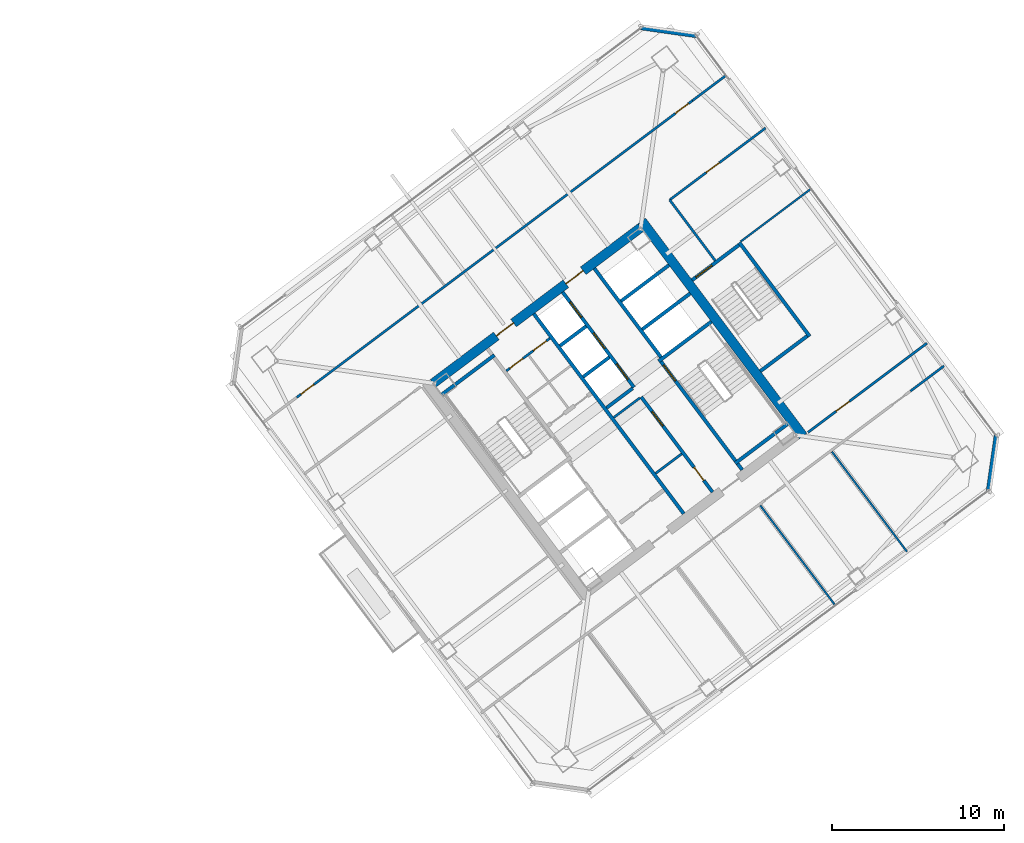
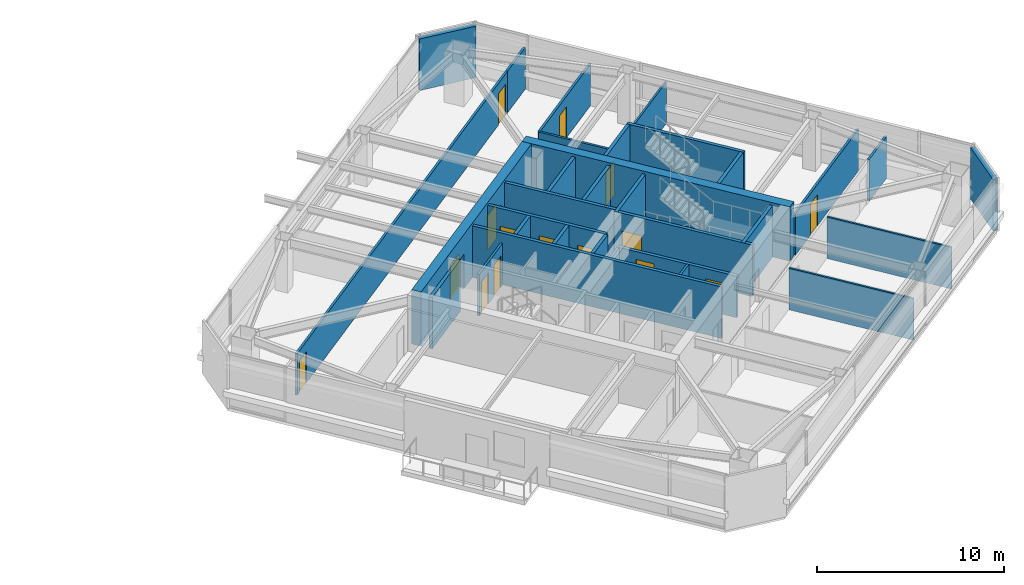
# One storey, part 34 of 41: 32 walls, 15 doors, 15 openings.
"""IFC4 building model written with IfcOpenShell, lengths in metres."""

from ifc_helpers import new_model, si_unit, direction, frame, frame_2d, origin, place, context, subcontext, project, spatial, rectangle, extrude, material, layer, layer_set, type_object, element, fill, save


model = new_model("IFC4")

# Units and contexts
model_context = context("Model", 3, precision=1e-05, world=origin(), true_north=direction((0.0, 1.0)))
body_context = subcontext(model_context, "Body", "Model", "MODEL_VIEW")
ifc_project = project(units=[si_unit("LENGTHUNIT", "METRE"), si_unit("AREAUNIT", "SQUARE_METRE"), si_unit("VOLUMEUNIT", "CUBIC_METRE"), si_unit("PLANEANGLEUNIT", "RADIAN"), si_unit("MASSUNIT", "GRAM", prefix="KILO")], contexts=[model_context])

# Site, building, storey
site_placement = place(None, origin())
site = spatial("IfcSite", under=ifc_project, at=site_placement, CompositionType="ELEMENT")
building_placement = place(site_placement, origin())
building = spatial("IfcBuilding", under=site, at=building_placement, Name="Tashvorn Skyway Center", CompositionType="ELEMENT")
storey_placement = place(building_placement, frame((0.0, 0.0, 174.75)))
storey = spatial("IfcBuildingStorey", under=building, at=storey_placement, Name="L47", CompositionType="ELEMENT", Elevation=174.75)

# Wall
ifc_material_1 = material(Name="Concrete C60/75", Category="concrete")
ifc_layer_1 = layer(ifc_material_1, 0.550048828125)
ifc_layer_set_1 = layer_set([ifc_layer_1], Name="Concrete C60/75")
wall_type_1 = type_object("IfcWallType", Name="WALL-CORE-550", PredefinedType="SHEAR", material=ifc_layer_set_1)
wall_1_placement = place(storey_placement, frame((115.56396484375, 42.923095703125, 0.0), z_axis=(0.0, 0.0, 1.0), x_axis=(0.600005007985, -0.799996243986, 0.0)))
element("IfcWall", 1, at=wall_1_placement, inside=storey, type_object=wall_type_1, Name="Tower 2 L47 East Core Shear Wall", PredefinedType="SHEAR", context=body_context, shape_type="SweptSolid", body=[
    extrude(rectangle(XDim=15.60009765625, YDim=0.550048828125, at=frame_2d((7.800048828125, 0.0))), origin(), (0.0, 0.0, 1.0), 3.550048828125),
])

# Wall, openings, doors
wall_2_placement = place(storey_placement, frame((103.4609375, 33.501953125, 0.0), z_axis=(0.0, 0.0, 1.0), x_axis=(0.799998054672, 0.600002593761, 0.0)))
wall_2 = element("IfcWall", 2, at=wall_2_placement, inside=storey, type_object=wall_type_1, Name="Tower 2 L47 North Core Shear Wall", PredefinedType="SHEAR", context=body_context, shape_type="SweptSolid", body=[
    extrude(rectangle(XDim=15.06005859375, YDim=0.550048828125, at=frame_2d((7.530029296875, 0.0))), origin(), (0.0, 0.0, 1.0), 3.550048828125),
])
opening_1_placement = place(wall_2_placement, frame((4.580078125, 0.0, 0.0)))
opening_1 = element("IfcOpeningElement", 3, at=opening_1_placement, cuts=wall_2, Name="Opening D-FFL-1250", PredefinedType="OPENING", context=body_context, shape_type="SweptSolid", body=[
    extrude(rectangle(XDim=1.25, YDim=2.25, at=frame_2d((0.625, 1.125))), frame((0.0, 0.284912109375, 0.0), z_axis=(0.0, -1.0, 0.0), x_axis=(1.0, 0.0, 0.0)), (0.0, 0.0, 1.0), 0.570068359375),
])
opening_2_placement = place(wall_2_placement, frame((9.6298828125, 0.0, 0.0)))
opening_2 = element("IfcOpeningElement", 4, at=opening_2_placement, cuts=wall_2, Name="Opening D-FFL-1250", PredefinedType="OPENING", context=body_context, shape_type="SweptSolid", body=[
    extrude(rectangle(XDim=1.25, YDim=2.25, at=frame_2d((0.625, 1.125))), frame((0.0, 0.284912109375, 0.0), z_axis=(0.0, -1.0, 0.0), x_axis=(1.0, 0.0, 0.0)), (0.0, 0.0, 1.0), 0.570068359375),
])
ifc_material_2 = material(Name="Hollow galvanized steel fire door assembly", Category="steel")
door_type_1 = type_object("IfcDoorType", Name="DOOR-FFL-1250", OperationType="NOTDEFINED", PredefinedType="DOOR", material=ifc_material_2)
door_1_placement = place(opening_1_placement, origin())
door_1 = element("IfcDoor", 5, at=door_1_placement, inside=storey, type_object=door_type_1, Name="Tower 2 L47 Core North Service Lobby Door", OperationType="SINGLE_SWING_LEFT", OverallHeight=2.25, OverallWidth=1.25, PredefinedType="DOOR", context=body_context, shape_type="SweptSolid", body=[
    extrude(rectangle(XDim=1.25, YDim=2.25, at=frame_2d((0.625, 1.125))), frame((0.0, 0.02490234375, 0.0), z_axis=(0.0, -1.0, 0.0), x_axis=(1.0, 0.0, 0.0)), (0.0, 0.0, 1.0), 0.050048828125),
])
fill(opening_1, door_1)
door_2_placement = place(opening_2_placement, origin())
door_2 = element("IfcDoor", 6, at=door_2_placement, inside=storey, type_object=door_type_1, Name="Tower 2 L47 Core North Lift Lobby Door", OperationType="SINGLE_SWING_RIGHT", OverallHeight=2.25, OverallWidth=1.25, PredefinedType="DOOR", context=body_context, shape_type="SweptSolid", body=[
    extrude(rectangle(XDim=1.25, YDim=2.25, at=frame_2d((0.625, 1.125))), frame((0.0, 0.02490234375, 0.0), z_axis=(0.0, -1.0, 0.0), x_axis=(1.0, 0.0, 0.0)), (0.0, 0.0, 1.0), 0.050048828125),
])
fill(opening_2, door_2)

# Walls
ifc_material_3 = material(Name="Precast concrete C40/50", Category="concrete")
ifc_layer_2 = layer(ifc_material_3, 0.280029296875)
ifc_layer_set_2 = layer_set([ifc_layer_2], Name="Precast concrete C40/50")
wall_type_2 = type_object("IfcWallType", Name="WALL-EXT-280", PredefinedType="SOLIDWALL", material=ifc_layer_set_2)
for number, where, z_axis, x_axis, name in (
    (7, (115.52001953125, 54.139892578125, 0.0), (0.0, 0.0, 1.0), (0.989950994782, -0.141410847992, 0.0), "Tower 2 L47 NE Precast Chamfer Wall"),
    (8, (136.139892578125, 30.47998046875, 0.0), (0.0, 0.0, 1.0), (-0.141410847992, -0.989950994782, 0.0), "Tower 2 L47 SE Precast Chamfer Wall"),
):
    element("IfcWall", number, at=place(storey_placement, frame(where, z_axis=z_axis, x_axis=x_axis)), inside=storey, type_object=wall_type_2, Name=name, PredefinedType="SOLIDWALL", context=body_context, shape_type="SweptSolid", body=[
        extrude(rectangle(XDim=3.252685546875, YDim=0.280029296875, at=frame_2d((1.62646484375, 0.0))), origin(), (0.0, 0.0, 1.0), 3.3701171875),
    ])
ifc_material_4 = material(Name="Gypsum board on cold-formed steel stud framing", Category="steel")
ifc_layer_3 = layer(ifc_material_4, 0.110107421875)
ifc_layer_set_3 = layer_set([ifc_layer_3], Name="Gypsum board on cold-formed steel stud framing")
wall_type_3 = type_object("IfcWallType", Name="WALL-PART-110", PredefinedType="PARTITIONING", material=ifc_layer_set_3)
for number, where, z_axis, x_axis, name in (
    (9, (126.7880859375, 20.615966796875, 0.0), (0.0, 0.0, 1.0), (-0.600005387845, 0.799995959088, 0.0), "Tower 2 L47 South Suite Partition 3"),
    (10, (130.947998046875, 23.736083984375, 0.0), (0.0, 0.0, 1.0), (-0.600021551797, 0.799983835699, 0.0), "Tower 2 L47 South Suite Partition 4"),
):
    element("IfcWall", number, at=place(storey_placement, frame(where, z_axis=z_axis, x_axis=x_axis)), inside=storey, type_object=wall_type_3, Name=name, PredefinedType="PARTITIONING", context=body_context, shape_type="SweptSolid", body=[
        extrude(rectangle(XDim=7.25, YDim=0.110107421875, at=frame_2d((3.625, 0.0))), origin(), (0.0, 0.0, 1.0), 2.722900390625),
    ])
wall_3_placement = place(storey_placement, frame((125.384033203125, 44.7880859375, 0.0), z_axis=(0.0, 0.0, 1.0), x_axis=(-0.8, -0.6, 0.0)))
element("IfcWall", 11, at=wall_3_placement, inside=storey, type_object=wall_type_3, Name="Tower 2 L47 East Suite Partition 1", PredefinedType="PARTITIONING", context=body_context, shape_type="SweptSolid", body=[
    extrude(rectangle(XDim=5.10009765625, YDim=0.110107421875, at=frame_2d((2.550048828125, 0.0))), origin(), (0.0, 0.0, 1.0), 2.722900390625),
])
ifc_layer_4 = layer(ifc_material_4, 0.135009765625)
ifc_layer_set_4 = layer_set([ifc_layer_4], Name="Gypsum board on cold-formed steel stud framing")
wall_type_4 = type_object("IfcWallType", Name="WALL-PART-135", PredefinedType="PARTITIONING", material=ifc_layer_set_4)
wall_4_placement = place(storey_placement, frame((119.823974609375, 40.617919921875, 0.0), z_axis=(0.0, 0.0, 1.0), x_axis=(-0.599982243973, 0.800013316712, 0.0)))
element("IfcWall", 12, at=wall_4_placement, inside=storey, type_object=wall_type_4, Name="Tower 2 L47 Stair 3 Access Corridor Wall", PredefinedType="PARTITIONING", context=body_context, shape_type="SweptSolid", body=[
    extrude(rectangle(XDim=4.39990234375, YDim=0.135009765625, at=frame_2d((2.199951171875, 0.0))), origin(), (0.0, 0.0, 1.0), 2.722900390625),
])

# Wall, openings, doors
wall_5_placement = place(storey_placement, frame((95.548095703125, 32.68603515625, 0.0), z_axis=(0.0, 0.0, 1.0), x_axis=(0.8, 0.6, 0.0)))
wall_5 = element("IfcWall", 13, at=wall_5_placement, inside=storey, type_object=wall_type_4, Name="Tower 2 L47 North Suite Wall", PredefinedType="PARTITIONING", context=body_context, shape_type="SweptSolid", body=[
    extrude(rectangle(XDim=28.699951171875, YDim=0.135009765625, at=frame_2d((14.35009765625, 0.0))), origin(), (0.0, 0.0, 1.0), 2.722900390625),
])
opening_3_placement = place(wall_5_placement, frame((0.300048828125, 0.0, 0.0)))
opening_3 = element("IfcOpeningElement", 14, at=opening_3_placement, cuts=wall_5, Name="Opening D-INT-950", PredefinedType="OPENING", context=body_context, shape_type="SweptSolid", body=[
    extrude(rectangle(XDim=0.949951171875, YDim=2.050048828125, at=frame_2d((0.47509765625, 1.02490234375))), frame((0.0, 0.077392578125, 0.0), z_axis=(0.0, -1.0, 0.0), x_axis=(1.0, 0.0, 0.0)), (0.0, 0.0, 1.0), 0.155029296875),
])
opening_4_placement = place(wall_5_placement, frame((27.449951171875, 0.0, 0.0)))
opening_4 = element("IfcOpeningElement", 15, at=opening_4_placement, cuts=wall_5, Name="Opening D-INT-950", PredefinedType="OPENING", context=body_context, shape_type="SweptSolid", body=[
    extrude(rectangle(XDim=0.949951171875, YDim=2.050048828125, at=frame_2d((0.47509765625, 1.02490234375))), frame((0.0, 0.077392578125, 0.0), z_axis=(0.0, -1.0, 0.0), x_axis=(1.0, 0.0, 0.0)), (0.0, 0.0, 1.0), 0.155029296875),
])
ifc_material_5 = material(Name="Solid-core architectural oak veneer door")
door_type_2 = type_object("IfcDoorType", Name="DOOR-INT-950", OperationType="NOTDEFINED", PredefinedType="DOOR", material=ifc_material_5)
door_3_placement = place(opening_3_placement, origin())
door_3 = element("IfcDoor", 16, at=door_3_placement, inside=storey, type_object=door_type_2, Name="Tower 2 L47 Executive Study Lounge Door", OperationType="SINGLE_SWING_LEFT", OverallHeight=2.050048828125, OverallWidth=0.949951171875, PredefinedType="DOOR", context=body_context, shape_type="SweptSolid", body=[
    extrude(rectangle(XDim=0.949951171875, YDim=2.050048828125, at=frame_2d((0.47509765625, 1.02490234375))), frame((0.0, 0.02490234375, 0.0), z_axis=(0.0, -1.0, 0.0), x_axis=(1.0, 0.0, 0.0)), (0.0, 0.0, 1.0), 0.050048828125),
])
fill(opening_3, door_3)
door_4_placement = place(opening_4_placement, origin())
door_4 = element("IfcDoor", 17, at=door_4_placement, inside=storey, type_object=door_type_2, Name="Tower 2 L47 Executive Study Lounge Door", OperationType="SINGLE_SWING_RIGHT", OverallHeight=2.050048828125, OverallWidth=0.949951171875, PredefinedType="DOOR", context=body_context, shape_type="SweptSolid", body=[
    extrude(rectangle(XDim=0.949951171875, YDim=2.050048828125, at=frame_2d((0.47509765625, 1.02490234375))), frame((0.0, 0.02490234375, 0.0), z_axis=(0.0, -1.0, 0.0), x_axis=(1.0, 0.0, 0.0)), (0.0, 0.0, 1.0), 0.050048828125),
])
fill(opening_4, door_4)

# Walls
wall_6_placement = place(storey_placement, frame((118.508056640625, 49.906005859375, 0.0), z_axis=(0.0, 0.0, 1.0), x_axis=(0.799975885537, 0.600032151272, 0.0)))
element("IfcWall", 18, at=wall_6_placement, inside=storey, type_object=wall_type_4, Name="Tower 2 L47 North-East Suite South Wall", PredefinedType="PARTITIONING", context=body_context, shape_type="SweptSolid", body=[
    extrude(rectangle(XDim=2.429931640625, YDim=0.135009765625, at=frame_2d((1.21484375, 0.0))), origin(), (0.0, 0.0, 1.0), 2.722900390625),
])
wall_7_placement = place(storey_placement, frame((131.14990234375, 33.050048828125, 0.0), z_axis=(0.0, 0.0, 1.0), x_axis=(0.800012055778, 0.599983925293, 0.0)))
element("IfcWall", 19, at=wall_7_placement, inside=storey, type_object=wall_type_4, Name="Tower 2 L47 South-East Suite North Wall", PredefinedType="PARTITIONING", context=body_context, shape_type="SweptSolid", body=[
    extrude(rectangle(XDim=2.43017578125, YDim=0.135009765625, at=frame_2d((1.215087890625, 0.0))), origin(), (0.0, 0.0, 1.0), 2.722900390625),
])

# Wall, opening, door
wall_8_placement = place(storey_placement, frame((122.743896484375, 48.30810546875, 0.0), z_axis=(0.0, 0.0, 1.0), x_axis=(-0.79997892247, -0.600028102345, 0.0)))
wall_8 = element("IfcWall", 20, at=wall_8_placement, inside=storey, type_object=wall_type_4, Name="Tower 2 L47 East Suite North Wall", PredefinedType="PARTITIONING", context=body_context, shape_type="SweptSolid", body=[
    extrude(rectangle(XDim=6.949951171875, YDim=0.135009765625, at=frame_2d((3.47509765625, 0.0))), origin(), (0.0, 0.0, 1.0), 2.722900390625),
])
opening_5_placement = place(wall_8_placement, frame((3.35009765625, 0.0, 0.0)))
opening_5 = element("IfcOpeningElement", 21, at=opening_5_placement, cuts=wall_8, Name="Opening D-INT-950", PredefinedType="OPENING", context=body_context, shape_type="SweptSolid", body=[
    extrude(rectangle(XDim=0.949951171875, YDim=2.050048828125, at=frame_2d((0.47509765625, 1.02490234375))), frame((0.0, 0.077392578125, 0.0), z_axis=(0.0, -1.0, 0.0), x_axis=(1.0, 0.0, 0.0)), (0.0, 0.0, 1.0), 0.155029296875),
])
door_5_placement = place(opening_5_placement, origin())
door_5 = element("IfcDoor", 22, at=door_5_placement, inside=storey, type_object=door_type_2, Name="Tower 2 L47 Open Plan Office Door", OperationType="SINGLE_SWING_RIGHT", OverallHeight=2.050048828125, OverallWidth=0.949951171875, PredefinedType="DOOR", context=body_context, shape_type="SweptSolid", body=[
    extrude(rectangle(XDim=0.949951171875, YDim=2.050048828125, at=frame_2d((0.47509765625, 1.02490234375))), frame((0.0, 0.02490234375, 0.0), z_axis=(0.0, -1.0, 0.0), x_axis=(1.0, 0.0, 0.0)), (0.0, 0.0, 1.0), 0.050048828125),
])
fill(opening_5, door_5)

wall_9_placement = place(storey_placement, frame((125.2080078125, 30.656005859375, 0.0), z_axis=(0.0, 0.0, 1.0), x_axis=(0.800006797429, 0.599990936654, 0.0)))
wall_9 = element("IfcWall", 23, at=wall_9_placement, inside=storey, type_object=wall_type_4, Name="Tower 2 L47 East Suite South Wall", PredefinedType="PARTITIONING", context=body_context, shape_type="SweptSolid", body=[
    extrude(rectangle(XDim=8.619873046875, YDim=0.135009765625, at=frame_2d((4.31005859375, 0.0))), origin(), (0.0, 0.0, 1.0), 2.722900390625),
])
opening_6_placement = place(wall_9_placement, frame((2.044921875, 0.0, 0.0)))
opening_6 = element("IfcOpeningElement", 24, at=opening_6_placement, cuts=wall_9, Name="Opening D-INT-950", PredefinedType="OPENING", context=body_context, shape_type="SweptSolid", body=[
    extrude(rectangle(XDim=0.949951171875, YDim=2.050048828125, at=frame_2d((0.47509765625, 1.02490234375))), frame((0.0, 0.077392578125, 0.0), z_axis=(0.0, -1.0, 0.0), x_axis=(1.0, 0.0, 0.0)), (0.0, 0.0, 1.0), 0.155029296875),
])
door_6_placement = place(opening_6_placement, origin())
door_6 = element("IfcDoor", 25, at=door_6_placement, inside=storey, type_object=door_type_2, Name="Tower 2 L47 Public Restroom Door", OperationType="SINGLE_SWING_LEFT", OverallHeight=2.050048828125, OverallWidth=0.949951171875, PredefinedType="DOOR", context=body_context, shape_type="SweptSolid", body=[
    extrude(rectangle(XDim=0.949951171875, YDim=2.050048828125, at=frame_2d((0.47509765625, 1.02490234375))), frame((0.0, 0.02490234375, 0.0), z_axis=(0.0, -1.0, 0.0), x_axis=(1.0, 0.0, 0.0)), (0.0, 0.0, 1.0), 0.050048828125),
])
fill(opening_6, door_6)

# Wall, openings, doors
ifc_layer_5 = layer(ifc_material_4, 0.135009765625)
ifc_layer_set_5 = layer_set([ifc_layer_5], Name="Gypsum board on cold-formed steel stud framing")
wall_type_5 = type_object("IfcWallType", Name="WALL-RATED-135", PredefinedType="PARTITIONING", material=ifc_layer_set_5)
wall_10_placement = place(storey_placement, frame((107.7099609375, 34.219970703125, 0.0), z_axis=(0.0, 0.0, 1.0), x_axis=(0.799981399002, 0.60002480053, 0.0)))
wall_10 = element("IfcWall", 26, at=wall_10_placement, inside=storey, type_object=wall_type_5, Name="Tower 2 L47 Core Service Lobby Wall", PredefinedType="PARTITIONING", context=body_context, shape_type="SweptSolid", body=[
    extrude(rectangle(XDim=3.150146484375, YDim=0.135009765625, at=frame_2d((1.5751953125, 0.0))), origin(), (0.0, 0.0, 1.0), 2.722900390625),
])
opening_7_placement = place(wall_10_placement, frame((0.25, 0.0, 0.0)))
opening_7 = element("IfcOpeningElement", 27, at=opening_7_placement, cuts=wall_10, Name="Opening D-RT-950", PredefinedType="OPENING", context=body_context, shape_type="SweptSolid", body=[
    extrude(rectangle(XDim=0.949951171875, YDim=2.050048828125, at=frame_2d((0.47509765625, 1.02490234375))), frame((0.0, 0.077392578125, 0.0), z_axis=(0.0, -1.0, 0.0), x_axis=(1.0, 0.0, 0.0)), (0.0, 0.0, 1.0), 0.155029296875),
])
opening_8_placement = place(wall_10_placement, frame((1.949951171875, 0.0, 0.0)))
opening_8 = element("IfcOpeningElement", 28, at=opening_8_placement, cuts=wall_10, Name="Opening D-RT-950", PredefinedType="OPENING", context=body_context, shape_type="SweptSolid", body=[
    extrude(rectangle(XDim=0.949951171875, YDim=2.050048828125, at=frame_2d((0.47509765625, 1.02490234375))), frame((0.0, 0.077392578125, 0.0), z_axis=(0.0, -1.0, 0.0), x_axis=(1.0, 0.0, 0.0)), (0.0, 0.0, 1.0), 0.155029296875),
])
door_type_3 = type_object("IfcDoorType", Name="DOOR-RATED-950", OperationType="NOTDEFINED", PredefinedType="DOOR", material=ifc_material_2)
door_7_placement = place(opening_7_placement, origin())
door_7 = element("IfcDoor", 29, at=door_7_placement, inside=storey, type_object=door_type_3, Name="Tower 2 L47 Core Cleaner Store Door", OperationType="SINGLE_SWING_LEFT", OverallHeight=2.050048828125, OverallWidth=0.949951171875, PredefinedType="DOOR", context=body_context, shape_type="SweptSolid", body=[
    extrude(rectangle(XDim=0.949951171875, YDim=2.050048828125, at=frame_2d((0.47509765625, 1.02490234375))), frame((0.0, 0.02490234375, 0.0), z_axis=(0.0, -1.0, 0.0), x_axis=(1.0, 0.0, 0.0)), (0.0, 0.0, 1.0), 0.050048828125),
])
fill(opening_7, door_7)
door_8_placement = place(opening_8_placement, origin())
door_8 = element("IfcDoor", 30, at=door_8_placement, inside=storey, type_object=door_type_3, Name="Tower 2 L47 Core Accessible WC Door", OperationType="SINGLE_SWING_RIGHT", OverallHeight=2.050048828125, OverallWidth=0.949951171875, PredefinedType="DOOR", context=body_context, shape_type="SweptSolid", body=[
    extrude(rectangle(XDim=0.949951171875, YDim=2.050048828125, at=frame_2d((0.47509765625, 1.02490234375))), frame((0.0, 0.02490234375, 0.0), z_axis=(0.0, -1.0, 0.0), x_axis=(1.0, 0.0, 0.0)), (0.0, 0.0, 1.0), 0.050048828125),
])
fill(opening_8, door_8)

# Walls
for number, where, z_axis, x_axis, name in (
    (31, (113.946044921875, 31.52197265625, 0.0), (0.0, 0.0, 1.0), (0.8, 0.6, 0.0), "Tower 2 L47 Core Room Partition"),
    (32, (116.3759765625, 28.281982421875, 0.0), (0.0, 0.0, 1.0), (0.8, 0.6, 0.0), "Tower 2 L47 Freed Core Partition"),
):
    element("IfcWall", number, at=place(storey_placement, frame(where, z_axis=z_axis, x_axis=x_axis)), inside=storey, type_object=wall_type_5, Name=name, PredefinedType="PARTITIONING", context=body_context, shape_type="SweptSolid", body=[
        extrude(rectangle(XDim=1.8798828125, YDim=0.135009765625, at=frame_2d((0.93994140625, 0.0))), origin(), (0.0, 0.0, 1.0), 2.722900390625),
    ])
ifc_material_6 = material(Name="Concrete C40/50", Category="concrete")
ifc_layer_6 = layer(ifc_material_6, 0.199951171875)
ifc_layer_set_6 = layer_set([ifc_layer_6], Name="Concrete C40/50")
wall_type_6 = type_object("IfcWallType", Name="WALL-SHAFT-200", PredefinedType="SOLIDWALL", material=ifc_layer_set_6)
for number, where, z_axis, x_axis, name in (
    (33, (115.590087890625, 36.6298828125, 0.0), (0.0, 0.0, 1.0), (0.799974743577, 0.600033673754, 0.0), "Tower 2 L47 High-Rise Shaft Divider"),
    (34, (114.360107421875, 38.27001953125, 0.0), (0.0, 0.0, 1.0), (0.800008418847, 0.599988774707, 0.0), "Tower 2 L47 High-Rise Shaft Divider"),
):
    element("IfcWall", number, at=place(storey_placement, frame(where, z_axis=z_axis, x_axis=x_axis)), inside=storey, type_object=wall_type_6, Name=name, PredefinedType="SOLIDWALL", context=body_context, shape_type="SweptSolid", body=[
        extrude(rectangle(XDim=3.47998046875, YDim=0.199951171875, at=frame_2d((1.739990234375, 0.0))), origin(), (0.0, 0.0, 1.0), 3.3701171875),
    ])

# Wall, openings, doors
wall_11_placement = place(storey_placement, frame((119.669921875, 27.18994140625, 0.0), z_axis=(0.0, 0.0, 1.0), x_axis=(-0.599988677396, 0.800008491828, 0.0)))
wall_11 = element("IfcWall", 35, at=wall_11_placement, inside=storey, type_object=wall_type_6, Name="Tower 2 L47 Low-Rise Core Wall", PredefinedType="SOLIDWALL", context=body_context, shape_type="SweptSolid", body=[
    extrude(rectangle(XDim=6.89990234375, YDim=0.199951171875, at=frame_2d((3.449951171875, 0.0))), origin(), (0.0, 0.0, 1.0), 2.722900390625),
])
opening_9_placement = place(wall_11_placement, frame((0.85009765625, 0.0, 0.0)))
opening_9 = element("IfcOpeningElement", 36, at=opening_9_placement, cuts=wall_11, Name="Opening D-RT-950", PredefinedType="OPENING", context=body_context, shape_type="SweptSolid", body=[
    extrude(rectangle(XDim=0.949951171875, YDim=2.050048828125, at=frame_2d((0.47509765625, 1.02490234375))), frame((0.0, 0.10986328125, 0.0), z_axis=(0.0, -1.0, 0.0), x_axis=(1.0, 0.0, 0.0)), (0.0, 0.0, 1.0), 0.219970703125),
])
opening_10_placement = place(wall_11_placement, frame((4.800048828125, 0.0, 0.0)))
opening_10 = element("IfcOpeningElement", 37, at=opening_10_placement, cuts=wall_11, Name="Opening D-RT-1050", PredefinedType="OPENING", context=body_context, shape_type="SweptSolid", body=[
    extrude(rectangle(XDim=1.050048828125, YDim=2.199951171875, at=frame_2d((0.52490234375, 1.10009765625))), frame((0.0, 0.10986328125, 0.0), z_axis=(0.0, -1.0, 0.0), x_axis=(1.0, 0.0, 0.0)), (0.0, 0.0, 1.0), 0.219970703125),
])
door_type_4 = type_object("IfcDoorType", Name="DOOR-RATED-1050", OperationType="NOTDEFINED", PredefinedType="DOOR", material=ifc_material_2)
door_9_placement = place(opening_10_placement, origin())
door_9 = element("IfcDoor", 38, at=door_9_placement, inside=storey, type_object=door_type_4, Name="Tower 2 L47 Freed Core Room Door", OperationType="SINGLE_SWING_RIGHT", OverallHeight=2.199951171875, OverallWidth=1.050048828125, PredefinedType="DOOR", context=body_context, shape_type="SweptSolid", body=[
    extrude(rectangle(XDim=1.050048828125, YDim=2.199951171875, at=frame_2d((0.52490234375, 1.10009765625))), frame((0.0, 0.02490234375, 0.0), z_axis=(0.0, -1.0, 0.0), x_axis=(1.0, 0.0, 0.0)), (0.0, 0.0, 1.0), 0.050048828125),
])
fill(opening_10, door_9)
door_10_placement = place(opening_9_placement, origin())
door_10 = element("IfcDoor", 39, at=door_10_placement, inside=storey, type_object=door_type_3, Name="Tower 2 L47 Core Print Room Door", OperationType="SINGLE_SWING_LEFT", OverallHeight=2.050048828125, OverallWidth=0.949951171875, PredefinedType="DOOR", context=body_context, shape_type="SweptSolid", body=[
    extrude(rectangle(XDim=0.949951171875, YDim=2.050048828125, at=frame_2d((0.47509765625, 1.02490234375))), frame((0.0, 0.02490234375, 0.0), z_axis=(0.0, -1.0, 0.0), x_axis=(1.0, 0.0, 0.0)), (0.0, 0.0, 1.0), 0.050048828125),
])
fill(opening_9, door_10)

wall_12_placement = place(storey_placement, frame((115.110107421875, 33.27001953125, 0.0), z_axis=(0.0, 0.0, 1.0), x_axis=(-0.600011322243, 0.799991508192, 0.0)))
wall_12 = element("IfcWall", 40, at=wall_12_placement, inside=storey, type_object=wall_type_6, Name="Tower 2 L47 Mid-Rise Core Wall", PredefinedType="SOLIDWALL", context=body_context, shape_type="SweptSolid", body=[
    extrude(rectangle(XDim=6.900146484375, YDim=0.199951171875, at=frame_2d((3.4501953125, 0.0))), origin(), (0.0, 0.0, 1.0), 3.3701171875),
])
opening_11_placement = place(wall_12_placement, frame((0.574951171875, 0.0, 0.0)))
opening_11 = element("IfcOpeningElement", 41, at=opening_11_placement, cuts=wall_12, Name="Opening LD-MR-T2-1-L47", PredefinedType="OPENING", context=body_context, shape_type="SweptSolid", body=[
    extrude(rectangle(XDim=1.10009765625, YDim=2.199951171875, at=frame_2d((0.550048828125, 1.10009765625))), frame((0.0, 0.10986328125, 0.0), z_axis=(0.0, -1.0, 0.0), x_axis=(1.0, 0.0, 0.0)), (0.0, 0.0, 1.0), 0.219970703125),
])
opening_12_placement = place(wall_12_placement, frame((2.824951171875, 0.0, 0.0)))
opening_12 = element("IfcOpeningElement", 42, at=opening_12_placement, cuts=wall_12, Name="Opening LD-MR-T2-2-L47", PredefinedType="OPENING", context=body_context, shape_type="SweptSolid", body=[
    extrude(rectangle(XDim=1.10009765625, YDim=2.199951171875, at=frame_2d((0.550048828125, 1.10009765625))), frame((0.0, 0.10986328125, 0.0), z_axis=(0.0, -1.0, 0.0), x_axis=(1.0, 0.0, 0.0)), (0.0, 0.0, 1.0), 0.219970703125),
])
opening_13_placement = place(wall_12_placement, frame((5.074951171875, 0.0, 0.0)))
opening_13 = element("IfcOpeningElement", 43, at=opening_13_placement, cuts=wall_12, Name="Opening LD-MR-T2-3-L47", PredefinedType="OPENING", context=body_context, shape_type="SweptSolid", body=[
    extrude(rectangle(XDim=1.10009765625, YDim=2.199951171875, at=frame_2d((0.550048828125, 1.10009765625))), frame((0.0, 0.10986328125, 0.0), z_axis=(0.0, -1.0, 0.0), x_axis=(1.0, 0.0, 0.0)), (0.0, 0.0, 1.0), 0.219970703125),
])
ifc_material_7 = material(Name="Stainless steel landing door", Category="steel")
door_type_5 = type_object("IfcDoorType", Name="DOOR-LIFT-1100", OperationType="SLIDING_TO_LEFT", PredefinedType="DOOR", material=ifc_material_7)
door_11_placement = place(opening_11_placement, origin())
door_11 = element("IfcDoor", 44, at=door_11_placement, inside=storey, type_object=door_type_5, Name="Lift MR-T2-1 L47 Landing Door", OperationType="SLIDING_TO_LEFT", OverallHeight=2.199951171875, OverallWidth=1.10009765625, PredefinedType="DOOR", context=body_context, shape_type="SweptSolid", body=[
    extrude(rectangle(XDim=1.10009765625, YDim=2.199951171875, at=frame_2d((0.550048828125, 1.10009765625))), frame((0.0, 0.02490234375, 0.0), z_axis=(0.0, -1.0, 0.0), x_axis=(1.0, 0.0, 0.0)), (0.0, 0.0, 1.0), 0.050048828125),
])
fill(opening_11, door_11)
door_12_placement = place(opening_12_placement, origin())
door_12 = element("IfcDoor", 45, at=door_12_placement, inside=storey, type_object=door_type_5, Name="Lift MR-T2-2 L47 Landing Door", OperationType="SLIDING_TO_LEFT", OverallHeight=2.199951171875, OverallWidth=1.10009765625, PredefinedType="DOOR", context=body_context, shape_type="SweptSolid", body=[
    extrude(rectangle(XDim=1.10009765625, YDim=2.199951171875, at=frame_2d((0.550048828125, 1.10009765625))), frame((0.0, 0.02490234375, 0.0), z_axis=(0.0, -1.0, 0.0), x_axis=(1.0, 0.0, 0.0)), (0.0, 0.0, 1.0), 0.050048828125),
])
fill(opening_12, door_12)
door_13_placement = place(opening_13_placement, origin())
door_13 = element("IfcDoor", 46, at=door_13_placement, inside=storey, type_object=door_type_5, Name="Lift MR-T2-3 L47 Landing Door", OperationType="SLIDING_TO_LEFT", OverallHeight=2.199951171875, OverallWidth=1.10009765625, PredefinedType="DOOR", context=body_context, shape_type="SweptSolid", body=[
    extrude(rectangle(XDim=1.10009765625, YDim=2.199951171875, at=frame_2d((0.550048828125, 1.10009765625))), frame((0.0, 0.02490234375, 0.0), z_axis=(0.0, -1.0, 0.0), x_axis=(1.0, 0.0, 0.0)), (0.0, 0.0, 1.0), 0.050048828125),
])
fill(opening_13, door_13)

# Walls
wall_13_placement = place(storey_placement, frame((113.52587890625, 32.08203125, 0.0), z_axis=(0.0, 0.0, 1.0), x_axis=(0.800046745961, 0.599937666993, 0.0)))
element("IfcWall", 47, at=wall_13_placement, inside=storey, type_object=wall_type_6, Name="Tower 2 L47 Mid-Rise Shaft Divider", PredefinedType="SOLIDWALL", context=body_context, shape_type="SweptSolid", body=[
    extrude(rectangle(XDim=1.880126953125, YDim=0.199951171875, at=frame_2d((0.93994140625, 0.0))), origin(), (0.0, 0.0, 1.0), 3.3701171875),
])
wall_14_placement = place(storey_placement, frame((112.176025390625, 33.882080078125, 0.0), z_axis=(0.0, 0.0, 1.0), x_axis=(0.8, 0.6, 0.0)))
element("IfcWall", 48, at=wall_14_placement, inside=storey, type_object=wall_type_6, Name="Tower 2 L47 Mid-Rise Shaft Divider", PredefinedType="SOLIDWALL", context=body_context, shape_type="SweptSolid", body=[
    extrude(rectangle(XDim=1.8798828125, YDim=0.199951171875, at=frame_2d((0.93994140625, 0.0))), origin(), (0.0, 0.0, 1.0), 3.3701171875),
])
wall_15_placement = place(storey_placement, frame((110.825927734375, 35.681884765625, 0.0), z_axis=(0.0, 0.0, 1.0), x_axis=(0.799984418148, 0.600020775241, 0.0)))
element("IfcWall", 49, at=wall_15_placement, inside=storey, type_object=wall_type_6, Name="Tower 2 L47 Mid-Rise Shaft Divider", PredefinedType="SOLIDWALL", context=body_context, shape_type="SweptSolid", body=[
    extrude(rectangle(XDim=1.880126953125, YDim=0.199951171875, at=frame_2d((0.93994140625, 0.0))), origin(), (0.0, 0.0, 1.0), 3.3701171875),
])
ifc_layer_7 = layer(ifc_material_6, 0.199951171875)
ifc_layer_set_7 = layer_set([ifc_layer_7], Name="Concrete C40/50")
wall_type_7 = type_object("IfcWallType", Name="WALL-STSHF-200", PredefinedType="SHEAR", material=ifc_layer_set_7)
wall_16_placement = place(storey_placement, frame((103.9560546875, 32.842041015625, 0.0), z_axis=(0.0, 0.0, 1.0), x_axis=(0.800015298837, 0.599979601008, 0.0)))
element("IfcWall", 50, at=wall_16_placement, inside=storey, type_object=wall_type_7, Name="Tower 2 L47 Stair 1 North Wall", PredefinedType="SHEAR", context=body_context, shape_type="SweptSolid", body=[
    extrude(rectangle(XDim=3.829833984375, YDim=0.199951171875, at=frame_2d((1.9150390625, 0.0))), origin(), (0.0, 0.0, 1.0), 3.3701171875),
])

# Wall, opening, door
wall_17_placement = place(storey_placement, frame((116.56005859375, 34.919921875, 0.0), z_axis=(0.0, 0.0, 1.0), x_axis=(0.59999029481, -0.8000072788, 0.0)))
wall_17 = element("IfcWall", 51, at=wall_17_placement, inside=storey, type_object=wall_type_7, Name="Tower 2 L47 Stair 2 Enclosure Wall", PredefinedType="SHEAR", context=body_context, shape_type="SweptSolid", body=[
    extrude(rectangle(XDim=8.0498046875, YDim=0.199951171875, at=frame_2d((4.02490234375, 0.0))), origin(), (0.0, 0.0, 1.0), 3.3701171875),
])
opening_14_placement = place(wall_17_placement, frame((0.449951171875, 0.0, 0.0)))
opening_14 = element("IfcOpeningElement", 52, at=opening_14_placement, cuts=wall_17, Name="Opening D-ST-1150", PredefinedType="OPENING", context=body_context, shape_type="SweptSolid", body=[
    extrude(rectangle(XDim=1.14990234375, YDim=2.199951171875, at=frame_2d((0.574951171875, 1.10009765625))), frame((0.0, 0.10986328125, 0.0), z_axis=(0.0, -1.0, 0.0), x_axis=(1.0, 0.0, 0.0)), (0.0, 0.0, 1.0), 0.219970703125),
])
door_type_6 = type_object("IfcDoorType", Name="DOOR-STAIR-1150", OperationType="NOTDEFINED", PredefinedType="DOOR", material=ifc_material_2)
door_14_placement = place(opening_14_placement, origin())
door_14 = element("IfcDoor", 53, at=door_14_placement, inside=storey, type_object=door_type_6, Name="Tower 2 L47 Exit Stair 2 Door", OperationType="SINGLE_SWING_RIGHT", OverallHeight=2.199951171875, OverallWidth=1.14990234375, PredefinedType="DOOR", context=body_context, shape_type="SweptSolid", body=[
    extrude(rectangle(XDim=1.14990234375, YDim=2.199951171875, at=frame_2d((0.574951171875, 1.10009765625))), frame((0.0, 0.02490234375, 0.0), z_axis=(0.0, -1.0, 0.0), x_axis=(1.0, 0.0, 0.0)), (0.0, 0.0, 1.0), 0.050048828125),
])
fill(opening_14, door_14)

# Walls
for number, where, z_axis, x_axis, name in (
    (54, (116.5400390625, 34.780029296875, 0.0), (0.0, 0.0, 1.0), (0.800015298837, 0.599979601008, 0.0), "Tower 2 L47 Stair 2 North Wall"),
    (55, (120.97998046875, 28.860107421875, 0.0), (0.0, 0.0, 1.0), (0.800015298837, 0.599979601008, 0.0), "Tower 2 L47 Stair 2 South Wall"),
):
    element("IfcWall", number, at=place(storey_placement, frame(where, z_axis=z_axis, x_axis=x_axis)), inside=storey, type_object=wall_type_7, Name=name, PredefinedType="SHEAR", context=body_context, shape_type="SweptSolid", body=[
        extrude(rectangle(XDim=3.829833984375, YDim=0.199951171875, at=frame_2d((1.9150390625, 0.0))), origin(), (0.0, 0.0, 1.0), 3.3701171875),
    ])
wall_18_placement = place(storey_placement, frame((117.998046875, 25.93603515625, 0.0), z_axis=(0.0, 0.0, 1.0), x_axis=(-0.600002693989, 0.799997979501, 0.0)))
element("IfcWall", 56, at=wall_18_placement, inside=storey, type_object=wall_type_7, Name="Tower 2 L47 Firefighting Lobby East Smoke Barrier", PredefinedType="SHEAR", context=body_context, shape_type="SweptSolid", body=[
    extrude(rectangle(XDim=14.499755859375, YDim=0.199951171875, at=frame_2d((7.25, 0.0))), origin(), (0.0, 0.0, 1.0), 3.3701171875),
])
wall_19_placement = place(storey_placement, frame((112.81005859375, 40.169921875, 0.0), z_axis=(0.0, 0.0, 1.0), x_axis=(0.599993943644, -0.800004542231, 0.0)))
element("IfcWall", 57, at=wall_19_placement, inside=storey, type_object=wall_type_7, Name="Tower 2 L47 High-Rise Lift Shaft Front Wall", PredefinedType="SHEAR", context=body_context, shape_type="SweptSolid", body=[
    extrude(rectangle(XDim=6.449951171875, YDim=0.199951171875, at=frame_2d((3.22509765625, 0.0))), origin(), (0.0, 0.0, 1.0), 3.3701171875),
])
wall_20_placement = place(storey_placement, frame((125.303955078125, 36.22802734375, 0.0), z_axis=(0.0, 0.0, 1.0), x_axis=(-0.59998851072, 0.800008616831, 0.0)))
element("IfcWall", 58, at=wall_20_placement, inside=storey, type_object=wall_type_7, Name="Tower 2 L47 Stair 3 Outer Wall", PredefinedType="SHEAR", context=body_context, shape_type="SweptSolid", body=[
    extrude(rectangle(XDim=6.7998046875, YDim=0.199951171875, at=frame_2d((3.39990234375, 0.0))), origin(), (0.0, 0.0, 1.0), 3.3701171875),
])

# Wall, opening, door
wall_21_placement = place(storey_placement, frame((121.2041015625, 41.528076171875, 0.0), z_axis=(0.0, 0.0, 1.0), x_axis=(-0.800017232136, -0.599977023131, 0.0)))
wall_21 = element("IfcWall", 59, at=wall_21_placement, inside=storey, type_object=wall_type_7, Name="Tower 2 L47 Stair 3 Enclosure Wall", PredefinedType="SHEAR", context=body_context, shape_type="SweptSolid", body=[
    extrude(rectangle(XDim=3.400146484375, YDim=0.199951171875, at=frame_2d((1.7001953125, 0.0))), origin(), (0.0, 0.0, 1.0), 3.3701171875),
])
opening_15_placement = place(wall_21_placement, frame((1.97509765625, 0.0, 0.0)))
opening_15 = element("IfcOpeningElement", 60, at=opening_15_placement, cuts=wall_21, Name="Opening D-ST-1150", PredefinedType="OPENING", context=body_context, shape_type="SweptSolid", body=[
    extrude(rectangle(XDim=1.14990234375, YDim=2.199951171875, at=frame_2d((0.574951171875, 1.10009765625))), frame((0.0, 0.10986328125, 0.0), z_axis=(0.0, -1.0, 0.0), x_axis=(1.0, 0.0, 0.0)), (0.0, 0.0, 1.0), 0.219970703125),
])
door_15_placement = place(opening_15_placement, origin())
door_15 = element("IfcDoor", 61, at=door_15_placement, inside=storey, type_object=door_type_6, Name="Tower 2 L47 Exit Stair 3 Door", OperationType="SINGLE_SWING_RIGHT", OverallHeight=2.199951171875, OverallWidth=1.14990234375, PredefinedType="DOOR", context=body_context, shape_type="SweptSolid", body=[
    extrude(rectangle(XDim=1.14990234375, YDim=2.199951171875, at=frame_2d((0.574951171875, 1.10009765625))), frame((0.0, 0.02490234375, 0.0), z_axis=(0.0, -1.0, 0.0), x_axis=(1.0, 0.0, 0.0)), (0.0, 0.0, 1.0), 0.050048828125),
])
fill(opening_15, door_15)

# Wall
wall_22_placement = place(storey_placement, frame((122.444091796875, 34.2080078125, 0.0), z_axis=(0.0, 0.0, 1.0), x_axis=(0.79999138319, 0.600011488909, 0.0)))
element("IfcWall", 62, at=wall_22_placement, inside=storey, type_object=wall_type_7, Name="Tower 2 L47 Stair 3 South Wall", PredefinedType="SHEAR", context=body_context, shape_type="SweptSolid", body=[
    extrude(rectangle(XDim=3.39990234375, YDim=0.199951171875, at=frame_2d((1.699951171875, 0.0))), origin(), (0.0, 0.0, 1.0), 3.3701171875),
])

save(model, "model.ifc")
